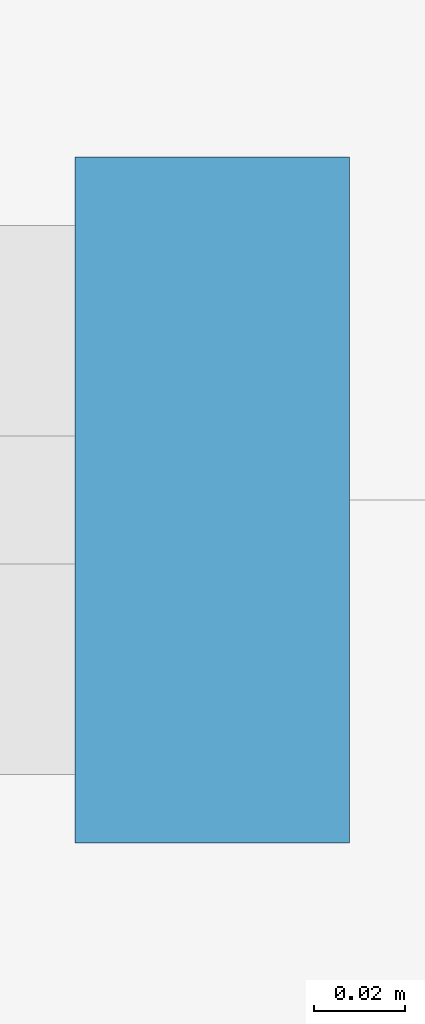
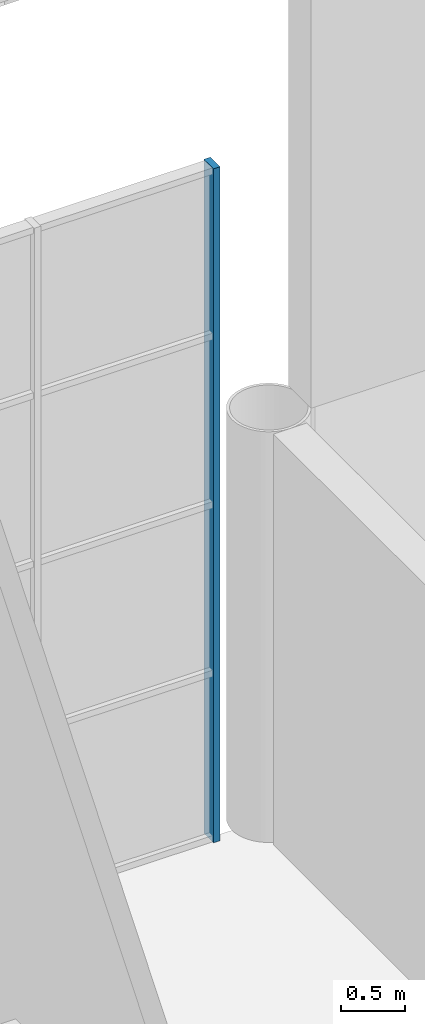
# One storey, part 20 of 56: 1 member, 1 element without a shape of its own.
"""IFC4 building model written with IfcOpenShell, lengths in metres."""

from ifc_helpers import new_model, si_unit, direction, frame, origin, origin_2d, place, context, subcontext, project, spatial, rectangle, extrude, material, layer, layer_set, material_profile, profile_set, type_object, element, aggregate, save


model = new_model("IFC4")

# Units and contexts
model_context = context("Model", 3, precision=1e-05, world=origin(), true_north=direction((0.0, 1.0)))
body_context = subcontext(model_context, "Body", "Model", "MODEL_VIEW")
ifc_project = project(units=[si_unit("LENGTHUNIT", "METRE"), si_unit("AREAUNIT", "SQUARE_METRE"), si_unit("VOLUMEUNIT", "CUBIC_METRE"), si_unit("PLANEANGLEUNIT", "RADIAN"), si_unit("MASSUNIT", "GRAM", prefix="KILO")], contexts=[model_context])

# Site, building, storey
site_placement = place(None, origin())
site = spatial("IfcSite", under=ifc_project, at=site_placement, CompositionType="ELEMENT")
building_placement = place(site_placement, origin())
building = spatial("IfcBuilding", under=site, at=building_placement, Name="Magnolia Steps Interchange", CompositionType="ELEMENT")
storey_placement = place(building_placement, frame((0.0, 0.0, 8.699951171875)))
storey = spatial("IfcBuildingStorey", under=building, at=storey_placement, Name="L02", CompositionType="ELEMENT", Elevation=8.699951171875)

# Curtain wall, member
ifc_material_1 = material(Name="Powder-coated aluminium and glass", Category="aluminium")
ifc_layer = layer(ifc_material_1, 0.1201171875)
ifc_layer_set = layer_set([ifc_layer], Name="Hall clerestory curtain wall")
curtain_wall_type = type_object("IfcCurtainWallType", Name="Hall clerestory curtain wall", PredefinedType="NOTDEFINED", material=ifc_layer_set)
curtain_wall_placement = place(storey_placement, origin())
curtain_wall = element("IfcCurtainWall", 1, at=curtain_wall_placement, inside=storey, type_object=curtain_wall_type, Name="Hall clerestory N5", PredefinedType="NOTDEFINED")
ifc_material_2 = material(Name="White powder-coated aluminium", Category="aluminium")
ifc_material_profile = material_profile(ifc_material_2, rectangle(XDim=0.06005859375, YDim=0.14990234375, at=origin_2d()), Name="Aluminium mullion 60 x 150")
ifc_profile_set = profile_set([ifc_material_profile], Name="White powder-coated aluminium")
member_type = type_object("IfcMemberType", Name="Aluminium mullion 60 x 150", PredefinedType="MULLION", material=ifc_profile_set)
member_placement = place(storey_placement, frame((106.68994140625, 85.60009765625, 0.0), z_axis=(0.0, 0.0, 1.0), x_axis=(1.0, 0.0, 0.0)))
member = element("IfcMember", 2, at=member_placement, type_object=member_type, Name="CW6 mullion 7", PredefinedType="MULLION", context=body_context, shape_type="SweptSolid", body=[
    extrude(rectangle(XDim=0.06005859375, YDim=0.14990234375, at=origin_2d()), origin(), (0.0, 0.0, 1.0), 6.400146484375),
])
aggregate(curtain_wall, [member])

save(model, "model.ifc")
